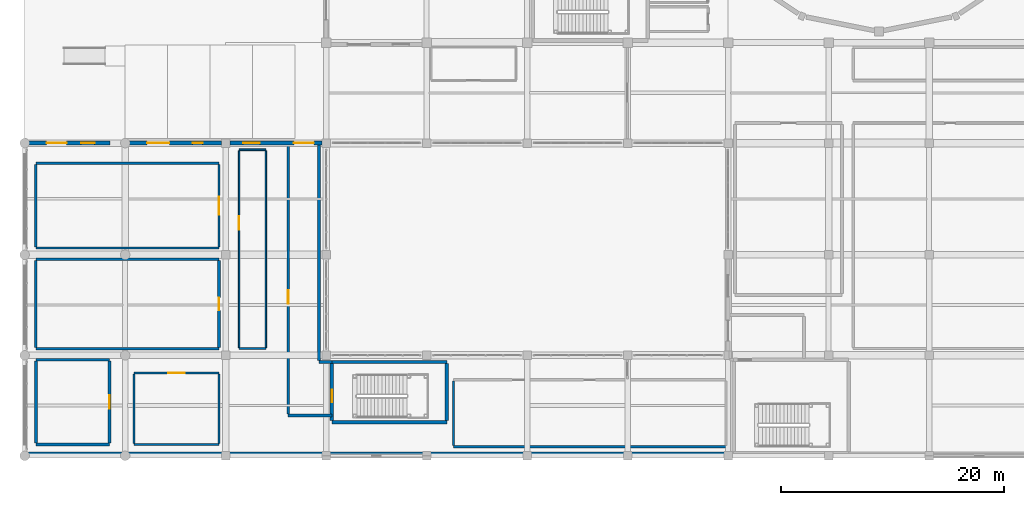
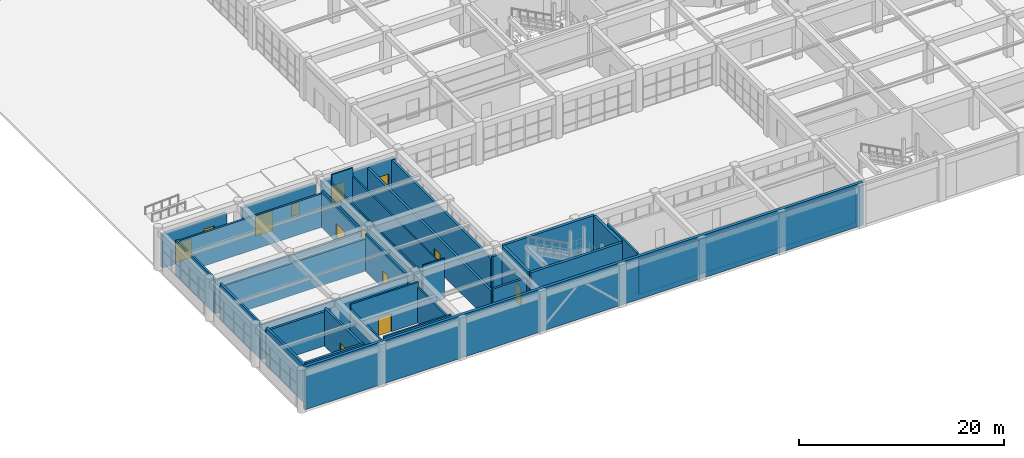
# One storey, part 100 of 128: 34 walls, 10 doors, 3 windows, 13 openings.
"""IFC4 building model written with IfcOpenShell, lengths in metres."""

from ifc_helpers import new_model, si_unit, direction, frame, frame_2d, origin, place, context, subcontext, project, spatial, rectangle, extrude, material, layer, layer_set, type_object, element, fill, save


model = new_model("IFC4")

# Units and contexts
model_context = context("Model", 3, precision=1e-05, world=origin(), true_north=direction((0.0, 1.0)))
body_context = subcontext(model_context, "Body", "Model", "MODEL_VIEW")
ifc_project = project(units=[si_unit("LENGTHUNIT", "METRE"), si_unit("AREAUNIT", "SQUARE_METRE"), si_unit("VOLUMEUNIT", "CUBIC_METRE"), si_unit("PLANEANGLEUNIT", "RADIAN"), si_unit("MASSUNIT", "GRAM", prefix="KILO")], contexts=[model_context])

# Site, building, storey
site_placement = place(None, origin())
site = spatial("IfcSite", under=ifc_project, at=site_placement, CompositionType="ELEMENT")
building_placement = place(site_placement, origin())
building = spatial("IfcBuilding", under=site, at=building_placement, Name="Miravela Opera House", CompositionType="ELEMENT")
storey_placement = place(building_placement, origin())
storey = spatial("IfcBuildingStorey", under=building, at=storey_placement, Name="L00", CompositionType="ELEMENT", Elevation=0.0)

# Wall, openings, door, window
ifc_material_1 = material(Name="Dark Guatemalan volcanic basalt stone ashlar", Category="masonry")
ifc_layer_1 = layer(ifc_material_1, 0.360107421875)
ifc_layer_set_1 = layer_set([ifc_layer_1])
wall_type_1 = type_object("IfcWallType", Name="ARC-EW-BASALT-360", PredefinedType="STANDARD", material=ifc_layer_set_1)
wall_1_placement = place(storey_placement, frame((0.39111328125, 28.0, 0.0), z_axis=(0.0, 0.0, 1.0), x_axis=(1.0, 0.0, 0.0)))
wall_1 = element("IfcWall", 1, at=wall_1_placement, inside=storey, type_object=wall_type_1, Name="West Arcade South Forecourt Exit Wall", PredefinedType="STANDARD", context=body_context, shape_type="SweptSolid", body=[
    extrude(rectangle(XDim=7.2587890625, YDim=0.360107421875, at=frame_2d((3.62939453125, 0.0))), origin(), (0.0, 0.0, 1.0), 3.97998046875),
])
opening_1_placement = place(wall_1_placement, frame((1.55908203125, 0.0, 0.0)))
opening_1 = element("IfcOpeningElement", 2, at=opening_1_placement, cuts=wall_1, Name="Opening EX-02", PredefinedType="OPENING", context=body_context, shape_type="SweptSolid", body=[
    extrude(rectangle(XDim=1.800048828125, YDim=2.300048828125, at=frame_2d((0.89990234375, 1.14990234375))), frame((0.0, 0.18994140625, 0.0), z_axis=(0.0, -1.0, 0.0), x_axis=(1.0, 0.0, 0.0)), (0.0, 0.0, 1.0), 0.380126953125),
])
opening_2_placement = place(wall_1_placement, frame((4.658935546875, 0.0, 0.89990234375)))
opening_2 = element("IfcOpeningElement", 3, at=opening_2_placement, cuts=wall_1, Name="Opening W-01", PredefinedType="OPENING", context=body_context, shape_type="SweptSolid", body=[
    extrude(rectangle(XDim=1.199951171875, YDim=2.10009765625, at=frame_2d((0.60009765625, 1.050048828125))), frame((0.0, 0.18994140625, 0.0), z_axis=(0.0, -1.0, 0.0), x_axis=(1.0, 0.0, 0.0)), (0.0, 0.0, 1.0), 0.380126953125),
])
ifc_material_2 = material(Name="Anodised architectural bronze aluminium 6063-T6", Category="aluminium")
door_type_1 = type_object("IfcDoorType", Name="ARC-EXD-1800X2300", OperationType="NOTDEFINED", PredefinedType="DOOR", material=ifc_material_2)
door_1_placement = place(opening_1_placement, origin())
door_1 = element("IfcDoor", 4, at=door_1_placement, inside=storey, type_object=door_type_1, Name="West Arcade South Forecourt Exit EXD-L00-006", OperationType="DOUBLE_DOOR_SINGLE_SWING", OverallHeight=2.300048828125, OverallWidth=1.800048828125, PredefinedType="DOOR", context=body_context, shape_type="SweptSolid", body=[
    extrude(rectangle(XDim=1.800048828125, YDim=2.300048828125, at=frame_2d((0.89990234375, 1.14990234375))), frame((0.0, 0.02490234375, 0.0), z_axis=(0.0, -1.0, 0.0), x_axis=(1.0, 0.0, 0.0)), (0.0, 0.0, 1.0), 0.050048828125),
])
fill(opening_1, door_1)
ifc_material_3 = material(Name="Bronze-anodised aluminium and acoustic low-E glass", Category="aluminium")
window_type_1 = type_object("IfcWindowType", Name="ARC-WIN-01", PartitioningType="SINGLE_PANEL", PredefinedType="WINDOW", material=ifc_material_3)
window_1_placement = place(opening_2_placement, origin())
window_1 = element("IfcWindow", 5, at=window_1_placement, inside=storey, type_object=window_type_1, Name="Window W-01 #001", OverallHeight=2.10009765625, OverallWidth=1.199951171875, PartitioningType="SINGLE_PANEL", PredefinedType="WINDOW", context=body_context, shape_type="SweptSolid", body=[
    extrude(rectangle(XDim=1.199951171875, YDim=2.10009765625, at=frame_2d((0.60009765625, 1.050048828125))), frame((0.0, 0.030029296875, 0.0), z_axis=(0.0, -1.0, 0.0), x_axis=(1.0, 0.0, 0.0)), (0.0, 0.0, 1.0), 0.06005859375),
])
fill(opening_2, window_1)

wall_2_placement = place(storey_placement, frame((18.375, 28.0, 0.0), z_axis=(0.0, 0.0, 1.0), x_axis=(1.0, 0.0, 0.0)))
wall_2 = element("IfcWall", 6, at=wall_2_placement, inside=storey, type_object=wall_type_1, Name="South Foyer Forecourt Exit Wall", PredefinedType="STANDARD", context=body_context, shape_type="SweptSolid", body=[
    extrude(rectangle(XDim=8.25, YDim=0.360107421875, at=frame_2d((4.125, 0.0))), origin(), (0.0, 0.0, 1.0), 3.97998046875),
])
opening_3_placement = place(wall_2_placement, frame((5.72509765625, 0.0, 0.0)))
opening_3 = element("IfcOpeningElement", 7, at=opening_3_placement, cuts=wall_2, Name="Opening EX-02", PredefinedType="OPENING", context=body_context, shape_type="SweptSolid", body=[
    extrude(rectangle(XDim=1.800048828125, YDim=2.300048828125, at=frame_2d((0.89990234375, 1.14990234375))), frame((0.0, 0.18994140625, 0.0), z_axis=(0.0, -1.0, 0.0), x_axis=(1.0, 0.0, 0.0)), (0.0, 0.0, 1.0), 0.380126953125),
])
opening_4_placement = place(wall_2_placement, frame((1.175048828125, 0.0, 0.89990234375)))
opening_4 = element("IfcOpeningElement", 8, at=opening_4_placement, cuts=wall_2, Name="Opening W-02", PredefinedType="OPENING", context=body_context, shape_type="SweptSolid", body=[
    extrude(rectangle(XDim=1.5, YDim=2.10009765625, at=frame_2d((0.75, 1.050048828125))), frame((0.0, 0.18994140625, 0.0), z_axis=(0.0, -1.0, 0.0), x_axis=(1.0, 0.0, 0.0)), (0.0, 0.0, 1.0), 0.380126953125),
])
door_2_placement = place(opening_3_placement, origin())
door_2 = element("IfcDoor", 9, at=door_2_placement, inside=storey, type_object=door_type_1, Name="South Foyer Forecourt Exit EXD-L00-007", OperationType="DOUBLE_DOOR_SINGLE_SWING", OverallHeight=2.300048828125, OverallWidth=1.800048828125, PredefinedType="DOOR", context=body_context, shape_type="SweptSolid", body=[
    extrude(rectangle(XDim=1.800048828125, YDim=2.300048828125, at=frame_2d((0.89990234375, 1.14990234375))), frame((0.0, 0.02490234375, 0.0), z_axis=(0.0, -1.0, 0.0), x_axis=(1.0, 0.0, 0.0)), (0.0, 0.0, 1.0), 0.050048828125),
])
fill(opening_3, door_2)
window_type_2 = type_object("IfcWindowType", Name="ARC-WIN-02", PartitioningType="DOUBLE_PANEL_VERTICAL", PredefinedType="WINDOW", material=ifc_material_3)
window_2_placement = place(opening_4_placement, origin())
window_2 = element("IfcWindow", 10, at=window_2_placement, inside=storey, type_object=window_type_2, Name="Window W-02 #002", OverallHeight=2.10009765625, OverallWidth=1.5, PartitioningType="DOUBLE_PANEL_VERTICAL", PredefinedType="WINDOW", context=body_context, shape_type="SweptSolid", body=[
    extrude(rectangle(XDim=1.5, YDim=2.10009765625, at=frame_2d((0.75, 1.050048828125))), frame((0.0, 0.030029296875, 0.0), z_axis=(0.0, -1.0, 0.0), x_axis=(1.0, 0.0, 0.0)), (0.0, 0.0, 1.0), 0.06005859375),
])
fill(opening_4, window_2)

wall_3_placement = place(storey_placement, frame((9.39111328125, 28.0, 0.0), z_axis=(0.0, 0.0, 1.0), x_axis=(1.0, 0.0, 0.0)))
wall_3 = element("IfcWall", 11, at=wall_3_placement, inside=storey, type_object=wall_type_1, Name="South Arcade Forecourt Exit Wall", PredefinedType="STANDARD", context=body_context, shape_type="SweptSolid", body=[
    extrude(rectangle(XDim=8.23388671875, YDim=0.360107421875, at=frame_2d((4.116943359375, 0.0))), origin(), (0.0, 0.0, 1.0), 3.97998046875),
])
opening_5_placement = place(wall_3_placement, frame((1.55908203125, 0.0, 0.0)))
opening_5 = element("IfcOpeningElement", 12, at=opening_5_placement, cuts=wall_3, Name="Opening EX-01", PredefinedType="OPENING", context=body_context, shape_type="SweptSolid", body=[
    extrude(rectangle(XDim=2.0, YDim=2.39990234375, at=frame_2d((1.0, 1.199951171875))), frame((0.0, 0.18994140625, 0.0), z_axis=(0.0, -1.0, 0.0), x_axis=(1.0, 0.0, 0.0)), (0.0, 0.0, 1.0), 0.380126953125),
])
opening_6_placement = place(wall_3_placement, frame((5.634033203125, 0.0, 0.89990234375)))
opening_6 = element("IfcOpeningElement", 13, at=opening_6_placement, cuts=wall_3, Name="Opening W-21", PredefinedType="OPENING", context=body_context, shape_type="SweptSolid", body=[
    extrude(rectangle(XDim=0.89990234375, YDim=1.5, at=frame_2d((0.449951171875, 0.75))), frame((0.0, 0.18994140625, 0.0), z_axis=(0.0, -1.0, 0.0), x_axis=(1.0, 0.0, 0.0)), (0.0, 0.0, 1.0), 0.380126953125),
])
door_type_2 = type_object("IfcDoorType", Name="ARC-EXD-2000X2400", OperationType="NOTDEFINED", PredefinedType="DOOR", material=ifc_material_2)
door_3_placement = place(opening_5_placement, origin())
door_3 = element("IfcDoor", 14, at=door_3_placement, inside=storey, type_object=door_type_2, Name="South Arcade Forecourt Exit EXD-L00-020", OperationType="DOUBLE_DOOR_SINGLE_SWING", OverallHeight=2.39990234375, OverallWidth=2.0, PredefinedType="DOOR", context=body_context, shape_type="SweptSolid", body=[
    extrude(rectangle(XDim=2.0, YDim=2.39990234375, at=frame_2d((1.0, 1.199951171875))), frame((0.0, 0.02490234375, 0.0), z_axis=(0.0, -1.0, 0.0), x_axis=(1.0, 0.0, 0.0)), (0.0, 0.0, 1.0), 0.050048828125),
])
fill(opening_5, door_3)
window_type_3 = type_object("IfcWindowType", Name="ARC-WIN-21", PartitioningType="SINGLE_PANEL", PredefinedType="WINDOW", material=ifc_material_3)
window_3_placement = place(opening_6_placement, origin())
window_3 = element("IfcWindow", 15, at=window_3_placement, inside=storey, type_object=window_type_3, Name="Window W-21 #015", OverallHeight=1.5, OverallWidth=0.89990234375, PartitioningType="SINGLE_PANEL", PredefinedType="WINDOW", context=body_context, shape_type="SweptSolid", body=[
    extrude(rectangle(XDim=0.89990234375, YDim=1.5, at=frame_2d((0.449951171875, 0.75))), frame((0.0, 0.030029296875, 0.0), z_axis=(0.0, -1.0, 0.0), x_axis=(1.0, 0.0, 0.0)), (0.0, 0.0, 1.0), 0.06005859375),
])
fill(opening_6, window_3)

# Walls
ifc_material_4 = material(Name="Studio double-stud acoustic partition")
ifc_layer_2 = layer(ifc_material_4, 0.14990234375)
ifc_layer_set_2 = layer_set([ifc_layer_2])
wall_type_2 = type_object("IfcWallType", Name="ARC-PT-145", PredefinedType="PARTITIONING", material=ifc_layer_set_2)
for number, where, z_axis, x_axis, name in (
    (16, (19.199951171875, 9.60009765625, 0.0), (0.0, 0.0, 1.0), (1.0, 0.0, 0.0), "Costume Wardrobe Reception Partition South"),
    (17, (19.199951171875, 27.39990234375, 0.0), (0.0, 0.0, 1.0), (1.0, 0.0, 0.0), "Costume Wardrobe Reception Partition North"),
):
    element("IfcWall", number, at=place(storey_placement, frame(where, z_axis=z_axis, x_axis=x_axis)), inside=storey, type_object=wall_type_2, Name=name, PredefinedType="PARTITIONING", context=body_context, shape_type="SweptSolid", body=[
        extrude(rectangle(XDim=2.400146484375, YDim=0.14990234375, at=frame_2d((1.2001953125, 0.0))), origin(), (0.0, 0.0, 1.0), 4.85009765625),
    ])

# Wall, opening, door
wall_4_placement = place(storey_placement, frame((19.199951171875, 9.675048828125, 0.0), z_axis=(0.0, 0.0, 1.0), x_axis=(0.0, 1.0, 0.0)))
wall_4 = element("IfcWall", 18, at=wall_4_placement, inside=storey, type_object=wall_type_2, Name="Costume Wardrobe Reception Partition West", PredefinedType="PARTITIONING", context=body_context, shape_type="SweptSolid", body=[
    extrude(rectangle(XDim=17.64990234375, YDim=0.14990234375, at=frame_2d((8.824951171875, 0.0))), origin(), (0.0, 0.0, 1.0), 3.85009765625),
])
opening_7_placement = place(wall_4_placement, frame((10.57958984375, 0.0, 0.0)))
opening_7 = element("IfcOpeningElement", 19, at=opening_7_placement, cuts=wall_4, Name="Opening ID-26", PredefinedType="OPENING", context=body_context, shape_type="SweptSolid", body=[
    extrude(rectangle(XDim=1.179931640625, YDim=2.139892578125, at=frame_2d((0.58984375, 1.06982421875))), frame((0.0, 0.0849609375, 0.0), z_axis=(0.0, -1.0, 0.0), x_axis=(1.0, 0.0, 0.0)), (0.0, 0.0, 1.0), 0.169921875),
])
ifc_material_5 = material(Name="Hardwood acoustic timber door leaf", Category="wood")
door_type_3 = type_object("IfcDoorType", Name="ARC-IDR-118X214", OperationType="NOTDEFINED", PredefinedType="DOOR", material=ifc_material_5)
door_4_placement = place(opening_7_placement, frame((1.179931640625, 0.0, 0.0), z_axis=(0.0, 0.0, 1.0), x_axis=(-1.0, 0.0, 0.0)))
door_4 = element("IfcDoor", 20, at=door_4_placement, inside=storey, type_object=door_type_3, Name="Costume Wardrobe Reception Entry Door IDR-L00-0129", OperationType="SINGLE_SWING_RIGHT", OverallHeight=2.139892578125, OverallWidth=1.179931640625, PredefinedType="DOOR", context=body_context, shape_type="SweptSolid", body=[
    extrude(rectangle(XDim=1.179931640625, YDim=2.139892578125, at=frame_2d((0.58984375, 1.06982421875))), frame((0.0, 0.02490234375, 0.0), z_axis=(0.0, -1.0, 0.0), x_axis=(1.0, 0.0, 0.0)), (0.0, 0.0, 1.0), 0.050048828125),
])
fill(opening_7, door_4)

# Walls
wall_5_placement = place(storey_placement, frame((21.60009765625, 9.675048828125, 0.0), z_axis=(0.0, 0.0, 1.0), x_axis=(0.0, 1.0, 0.0)))
element("IfcWall", 21, at=wall_5_placement, inside=storey, type_object=wall_type_2, Name="Costume Wardrobe Reception Partition East", PredefinedType="PARTITIONING", context=body_context, shape_type="SweptSolid", body=[
    extrude(rectangle(XDim=17.64990234375, YDim=0.14990234375, at=frame_2d((8.824951171875, 0.0))), origin(), (0.0, 0.0, 1.0), 3.85009765625),
])
ifc_material_6 = material(Name="Corridor fire-resisting masonry partition", Category="masonry")
ifc_layer_3 = layer(ifc_material_6, 0.18994140625)
ifc_layer_set_3 = layer_set([ifc_layer_3])
wall_type_3 = type_object("IfcWallType", Name="ARC-PT-190", PredefinedType="PARTITIONING", material=ifc_layer_set_3)
wall_6_placement = place(storey_placement, frame((9.800048828125, 1.0, 0.0), z_axis=(0.0, 0.0, 1.0), x_axis=(1.0, 0.0, 0.0)))
element("IfcWall", 22, at=wall_6_placement, inside=storey, type_object=wall_type_3, Name="Catering Sommelier and Cold Pantry Partition South", PredefinedType="PARTITIONING", context=body_context, shape_type="SweptSolid", body=[
    extrude(rectangle(XDim=7.599853515625, YDim=0.18994140625, at=frame_2d((3.7998046875, 0.0))), origin(), (0.0, 0.0, 1.0), 4.85009765625),
])

# Wall, opening, door
wall_7_placement = place(storey_placement, frame((9.800048828125, 7.39990234375, 0.0), z_axis=(0.0, 0.0, 1.0), x_axis=(1.0, 0.0, 0.0)))
wall_7 = element("IfcWall", 23, at=wall_7_placement, inside=storey, type_object=wall_type_3, Name="Catering Sommelier and Cold Pantry Partition North", PredefinedType="PARTITIONING", context=body_context, shape_type="SweptSolid", body=[
    extrude(rectangle(XDim=7.599853515625, YDim=0.18994140625, at=frame_2d((3.7998046875, 0.0))), origin(), (0.0, 0.0, 1.0), 4.85009765625),
])
opening_8_placement = place(wall_7_placement, frame((3.070068359375, 0.0, 0.0)))
opening_8 = element("IfcOpeningElement", 24, at=opening_8_placement, cuts=wall_7, Name="Opening ID-38", PredefinedType="OPENING", context=body_context, shape_type="SweptSolid", body=[
    extrude(rectangle(XDim=1.4599609375, YDim=2.139892578125, at=frame_2d((0.72998046875, 1.06982421875))), frame((0.0, 0.10498046875, 0.0), z_axis=(0.0, -1.0, 0.0), x_axis=(1.0, 0.0, 0.0)), (0.0, 0.0, 1.0), 0.2099609375),
])
door_type_4 = type_object("IfcDoorType", Name="ARC-IDR-146X214", OperationType="NOTDEFINED", PredefinedType="DOOR", material=ifc_material_5)
door_5_placement = place(opening_8_placement, frame((1.4599609375, 0.0, 0.0), z_axis=(0.0, 0.0, 1.0), x_axis=(-1.0, 0.0, 0.0)))
door_5 = element("IfcDoor", 25, at=door_5_placement, inside=storey, type_object=door_type_4, Name="Catering Sommelier and Cold Pantry Entry Door IDR-L00-0141", OperationType="DOUBLE_DOOR_SINGLE_SWING", OverallHeight=2.139892578125, OverallWidth=1.4599609375, PredefinedType="DOOR", context=body_context, shape_type="SweptSolid", body=[
    extrude(rectangle(XDim=1.4599609375, YDim=2.139892578125, at=frame_2d((0.72998046875, 1.06982421875))), frame((0.0, 0.02490234375, 0.0), z_axis=(0.0, -1.0, 0.0), x_axis=(1.0, 0.0, 0.0)), (0.0, 0.0, 1.0), 0.050048828125),
])
fill(opening_8, door_5)

# Walls
for number, where, z_axis, x_axis, name in (
    (26, (9.800048828125, 1.094970703125, 0.0), (0.0, 0.0, 1.0), (0.0, 1.0, 0.0), "Catering Sommelier and Cold Pantry Partition West"),
    (27, (17.39990234375, 1.094970703125, 0.0), (0.0, 0.0, 1.0), (0.0, 1.0, 0.0), "Catering Sommelier and Cold Pantry Partition East"),
):
    element("IfcWall", number, at=place(storey_placement, frame(where, z_axis=z_axis, x_axis=x_axis)), inside=storey, type_object=wall_type_3, Name=name, PredefinedType="PARTITIONING", context=body_context, shape_type="SweptSolid", body=[
        extrude(rectangle(XDim=6.2099609375, YDim=0.18994140625, at=frame_2d((3.10498046875, 0.0))), origin(), (0.0, 0.0, 1.0), 4.22998046875),
    ])
ifc_material_7 = material(Name="High-STC auditorium lobby partition")
ifc_layer_4 = layer(ifc_material_7, 0.22998046875)
ifc_layer_set_4 = layer_set([ifc_layer_4])
wall_type_4 = type_object("IfcWallType", Name="ARC-PT-205", PredefinedType="PARTITIONING", material=ifc_layer_set_4)
wall_8_placement = place(storey_placement, frame((1.0, 9.60009765625, 0.0), z_axis=(0.0, 0.0, 1.0), x_axis=(1.0, 0.0, 0.0)))
element("IfcWall", 28, at=wall_8_placement, inside=storey, type_object=wall_type_4, Name="Miravela Opera Restaurant Dining Hall Partition South", PredefinedType="PARTITIONING", context=body_context, shape_type="SweptSolid", body=[
    extrude(rectangle(XDim=16.39990234375, YDim=0.22998046875, at=frame_2d((8.199951171875, 0.0))), origin(), (0.0, 0.0, 1.0), 4.179931640625),
])
wall_9_placement = place(storey_placement, frame((1.0, 17.60009765625, 0.0), z_axis=(0.0, 0.0, 1.0), x_axis=(1.0, 0.0, 0.0)))
element("IfcWall", 29, at=wall_9_placement, inside=storey, type_object=wall_type_4, Name="Miravela Opera Restaurant Dining Hall Partition North", PredefinedType="PARTITIONING", context=body_context, shape_type="SweptSolid", body=[
    extrude(rectangle(XDim=16.39990234375, YDim=0.22998046875, at=frame_2d((8.199951171875, 0.0))), origin(), (0.0, 0.0, 1.0), 3.830078125),
])
wall_10_placement = place(storey_placement, frame((1.0, 9.715087890625, 0.0), z_axis=(0.0, 0.0, 1.0), x_axis=(0.0, 1.0, 0.0)))
element("IfcWall", 30, at=wall_10_placement, inside=storey, type_object=wall_type_4, Name="Miravela Opera Restaurant Dining Hall Partition West", PredefinedType="PARTITIONING", context=body_context, shape_type="SweptSolid", body=[
    extrude(rectangle(XDim=7.77001953125, YDim=0.22998046875, at=frame_2d((3.885009765625, 0.0))), origin(), (0.0, 0.0, 1.0), 4.297119140625),
])

# Wall, opening, door
wall_11_placement = place(storey_placement, frame((17.39990234375, 9.715087890625, 0.0), z_axis=(0.0, 0.0, 1.0), x_axis=(0.0, 1.0, 0.0)))
wall_11 = element("IfcWall", 31, at=wall_11_placement, inside=storey, type_object=wall_type_4, Name="Miravela Opera Restaurant Dining Hall Partition East", PredefinedType="PARTITIONING", context=body_context, shape_type="SweptSolid", body=[
    extrude(rectangle(XDim=7.77001953125, YDim=0.22998046875, at=frame_2d((3.885009765625, 0.0))), origin(), (0.0, 0.0, 1.0), 4.47998046875),
])
opening_9_placement = place(wall_11_placement, frame((3.31494140625, 0.0, 0.0)))
opening_9 = element("IfcOpeningElement", 32, at=opening_9_placement, cuts=wall_11, Name="Opening ID-22", PredefinedType="OPENING", context=body_context, shape_type="SweptSolid", body=[
    extrude(rectangle(XDim=1.139892578125, YDim=2.080078125, at=frame_2d((0.56982421875, 1.0400390625))), frame((0.0, 0.125, 0.0), z_axis=(0.0, -1.0, 0.0), x_axis=(1.0, 0.0, 0.0)), (0.0, 0.0, 1.0), 0.25),
])
door_type_5 = type_object("IfcDoorType", Name="ARC-IDR-114X208", OperationType="NOTDEFINED", PredefinedType="DOOR", material=ifc_material_5)
door_6_placement = place(opening_9_placement, origin())
door_6 = element("IfcDoor", 33, at=door_6_placement, inside=storey, type_object=door_type_5, Name="Miravela Opera Restaurant Dining Hall Entry Door IDR-L00-0124", OperationType="SINGLE_SWING_LEFT", OverallHeight=2.080078125, OverallWidth=1.139892578125, PredefinedType="DOOR", context=body_context, shape_type="SweptSolid", body=[
    extrude(rectangle(XDim=1.139892578125, YDim=2.080078125, at=frame_2d((0.56982421875, 1.0400390625))), frame((0.0, 0.02490234375, 0.0), z_axis=(0.0, -1.0, 0.0), x_axis=(1.0, 0.0, 0.0)), (0.0, 0.0, 1.0), 0.050048828125),
])
fill(opening_9, door_6)

# Walls
ifc_material_8 = material(Name="Workshop fire-resisting block partition")
ifc_layer_5 = layer(ifc_material_8, 0.2099609375)
ifc_layer_set_5 = layer_set([ifc_layer_5])
wall_type_5 = type_object("IfcWallType", Name="ARC-PT-210", PredefinedType="PARTITIONING", material=ifc_layer_set_5)
wall_12_placement = place(storey_placement, frame((38.39990234375, 0.800048828125, 0.0), z_axis=(0.0, 0.0, 1.0), x_axis=(1.0, 0.0, 0.0)))
element("IfcWall", 34, at=wall_12_placement, inside=storey, type_object=wall_type_5, Name="Carpentry and Stage Metalwork Workshop Partition South", PredefinedType="PARTITIONING", context=body_context, shape_type="SweptSolid", body=[
    extrude(rectangle(XDim=24.400146484375, YDim=0.2099609375, at=frame_2d((12.2001953125, 0.0))), origin(), (0.0, 0.0, 1.0), 4.1298828125),
])
wall_13_placement = place(storey_placement, frame((38.39990234375, 0.905029296875, 0.0), z_axis=(0.0, 0.0, 1.0), x_axis=(0.0, 1.0, 0.0)))
element("IfcWall", 35, at=wall_13_placement, inside=storey, type_object=wall_type_5, Name="Carpentry and Stage Metalwork Workshop Partition West", PredefinedType="PARTITIONING", context=body_context, shape_type="SweptSolid", body=[
    extrude(rectangle(XDim=5.7900390625, YDim=0.2099609375, at=frame_2d((2.89501953125, 0.0))), origin(), (0.0, 0.0, 1.0), 4.85009765625),
])
for number, where, z_axis, x_axis, name in (
    (36, (1.0, 18.60009765625, 0.0), (0.0, 0.0, 1.0), (1.0, 0.0, 0.0), "Cultural Opera Shop and Bookshop Partition South"),
    (37, (1.0, 26.199951171875, 0.0), (0.0, 0.0, 1.0), (1.0, 0.0, 0.0), "Cultural Opera Shop and Bookshop Partition North"),
):
    element("IfcWall", number, at=place(storey_placement, frame(where, z_axis=z_axis, x_axis=x_axis)), inside=storey, type_object=wall_type_5, Name=name, PredefinedType="PARTITIONING", context=body_context, shape_type="SweptSolid", body=[
        extrude(rectangle(XDim=16.39990234375, YDim=0.2099609375, at=frame_2d((8.199951171875, 0.0))), origin(), (0.0, 0.0, 1.0), 3.97998046875),
    ])
wall_14_placement = place(storey_placement, frame((1.0, 18.705078125, 0.0), z_axis=(0.0, 0.0, 1.0), x_axis=(0.0, 1.0, 0.0)))
element("IfcWall", 38, at=wall_14_placement, inside=storey, type_object=wall_type_5, Name="Cultural Opera Shop and Bookshop Partition West", PredefinedType="PARTITIONING", context=body_context, shape_type="SweptSolid", body=[
    extrude(rectangle(XDim=7.389892578125, YDim=0.2099609375, at=frame_2d((3.69482421875, 0.0))), origin(), (0.0, 0.0, 1.0), 4.221923828125),
])

# Wall, opening, door
wall_15_placement = place(storey_placement, frame((17.39990234375, 18.705078125, 0.0), z_axis=(0.0, 0.0, 1.0), x_axis=(0.0, 1.0, 0.0)))
wall_15 = element("IfcWall", 39, at=wall_15_placement, inside=storey, type_object=wall_type_5, Name="Cultural Opera Shop and Bookshop Partition East", PredefinedType="PARTITIONING", context=body_context, shape_type="SweptSolid", body=[
    extrude(rectangle(XDim=7.389892578125, YDim=0.2099609375, at=frame_2d((3.69482421875, 0.0))), origin(), (0.0, 0.0, 1.0), 4.3701171875),
])
opening_10_placement = place(wall_15_placement, frame((2.89501953125, 0.0, 0.0)))
opening_10 = element("IfcOpeningElement", 40, at=opening_10_placement, cuts=wall_15, Name="Opening ID-06", PredefinedType="OPENING", context=body_context, shape_type="SweptSolid", body=[
    extrude(rectangle(XDim=1.60009765625, YDim=2.25, at=frame_2d((0.800048828125, 1.125))), frame((0.0, 0.114990234375, 0.0), z_axis=(0.0, -1.0, 0.0), x_axis=(1.0, 0.0, 0.0)), (0.0, 0.0, 1.0), 0.22998046875),
])
ifc_material_9 = material(Name="Double-leaf acoustic studio/salon pair")
door_type_6 = type_object("IfcDoorType", Name="ARC-DR-1600X2250", OperationType="NOTDEFINED", PredefinedType="DOOR", material=ifc_material_9)
door_7_placement = place(opening_10_placement, origin())
door_7 = element("IfcDoor", 41, at=door_7_placement, inside=storey, type_object=door_type_6, Name="Cultural Opera Shop and Bookshop Entry Door IDR-L00-0123", OperationType="DOUBLE_DOOR_SINGLE_SWING", OverallHeight=2.25, OverallWidth=1.60009765625, PredefinedType="DOOR", context=body_context, shape_type="SweptSolid", body=[
    extrude(rectangle(XDim=1.60009765625, YDim=2.25, at=frame_2d((0.800048828125, 1.125))), frame((0.0, 0.02490234375, 0.0), z_axis=(0.0, -1.0, 0.0), x_axis=(1.0, 0.0, 0.0)), (0.0, 0.0, 1.0), 0.050048828125),
])
fill(opening_10, door_7)

# Walls
ifc_material_10 = material(Name="Firefighting lobby compartment wall")
ifc_layer_6 = layer(ifc_material_10, 0.25)
ifc_layer_set_6 = layer_set([ifc_layer_6])
wall_type_6 = type_object("IfcWallType", Name="ARC-PT-220", PredefinedType="PARTITIONING", material=ifc_layer_set_6)
wall_16_placement = place(storey_placement, frame((1.0, 1.0, 0.0), z_axis=(0.0, 0.0, 1.0), x_axis=(1.0, 0.0, 0.0)))
element("IfcWall", 42, at=wall_16_placement, inside=storey, type_object=wall_type_6, Name="Restaurant Preparation Kitchen Partition South", PredefinedType="PARTITIONING", context=body_context, shape_type="SweptSolid", body=[
    extrude(rectangle(XDim=6.60009765625, YDim=0.25, at=frame_2d((3.300048828125, 0.0))), origin(), (0.0, 0.0, 1.0), 4.85009765625),
])
wall_17_placement = place(storey_placement, frame((1.0, 8.60009765625, 0.0), z_axis=(0.0, 0.0, 1.0), x_axis=(1.0, 0.0, 0.0)))
element("IfcWall", 43, at=wall_17_placement, inside=storey, type_object=wall_type_6, Name="Restaurant Preparation Kitchen Partition North", PredefinedType="PARTITIONING", context=body_context, shape_type="SweptSolid", body=[
    extrude(rectangle(XDim=6.60009765625, YDim=0.25, at=frame_2d((3.300048828125, 0.0))), origin(), (0.0, 0.0, 1.0), 4.080078125),
])
wall_18_placement = place(storey_placement, frame((1.0, 1.125, 0.0), z_axis=(0.0, 0.0, 1.0), x_axis=(0.0, 1.0, 0.0)))
element("IfcWall", 44, at=wall_18_placement, inside=storey, type_object=wall_type_6, Name="Restaurant Preparation Kitchen Partition West", PredefinedType="PARTITIONING", context=body_context, shape_type="SweptSolid", body=[
    extrude(rectangle(XDim=7.35009765625, YDim=0.25, at=frame_2d((3.675048828125, 0.0))), origin(), (0.0, 0.0, 1.0), 4.52197265625),
])

# Wall, opening, door
wall_19_placement = place(storey_placement, frame((7.60009765625, 1.125, 0.0), z_axis=(0.0, 0.0, 1.0), x_axis=(0.0, 1.0, 0.0)))
wall_19 = element("IfcWall", 45, at=wall_19_placement, inside=storey, type_object=wall_type_6, Name="Restaurant Preparation Kitchen Partition East", PredefinedType="PARTITIONING", context=body_context, shape_type="SweptSolid", body=[
    extrude(rectangle(XDim=7.35009765625, YDim=0.25, at=frame_2d((3.675048828125, 0.0))), origin(), (0.0, 0.0, 1.0), 4.52197265625),
])
opening_11_placement = place(wall_19_placement, frame((3.074951171875, 0.0, 0.0)))
opening_11 = element("IfcOpeningElement", 46, at=opening_11_placement, cuts=wall_19, Name="Opening FD-02", PredefinedType="OPENING", context=body_context, shape_type="SweptSolid", body=[
    extrude(rectangle(XDim=1.199951171875, YDim=2.199951171875, at=frame_2d((0.60009765625, 1.10009765625))), frame((0.0, 0.135009765625, 0.0), z_axis=(0.0, -1.0, 0.0), x_axis=(1.0, 0.0, 0.0)), (0.0, 0.0, 1.0), 0.27001953125),
])
ifc_material_11 = material(Name="Fire-rated gallery/plant exit door")
door_type_7 = type_object("IfcDoorType", Name="ARC-FD-1200X2200", OperationType="NOTDEFINED", PredefinedType="DOOR", material=ifc_material_11)
door_8_placement = place(opening_11_placement, origin())
door_8 = element("IfcDoor", 47, at=door_8_placement, inside=storey, type_object=door_type_7, Name="Restaurant Preparation Kitchen Entry Door IDR-L00-0125", OperationType="SINGLE_SWING_RIGHT", OverallHeight=2.199951171875, OverallWidth=1.199951171875, PredefinedType="DOOR", context=body_context, shape_type="SweptSolid", body=[
    extrude(rectangle(XDim=1.199951171875, YDim=2.199951171875, at=frame_2d((0.60009765625, 1.10009765625))), frame((0.0, 0.02490234375, 0.0), z_axis=(0.0, -1.0, 0.0), x_axis=(1.0, 0.0, 0.0)), (0.0, 0.0, 1.0), 0.050048828125),
])
fill(opening_11, door_8)

# Walls
wall_20_placement = place(storey_placement, frame((23.60009765625, 3.60009765625, 0.0), z_axis=(0.0, 0.0, 1.0), x_axis=(1.0, 0.0, 0.0)))
element("IfcWall", 48, at=wall_20_placement, inside=storey, type_object=wall_type_6, Name="Protected Exit Passageway ST-08 Partition Seg1", PredefinedType="PARTITIONING", context=body_context, shape_type="SweptSolid", body=[
    extrude(rectangle(XDim=3.89990234375, YDim=0.25, at=frame_2d((1.949951171875, 0.0))), origin(), (0.0, 0.0, 1.0), 4.14990234375),
])
wall_21_placement = place(storey_placement, frame((27.5, 8.39990234375, 0.0), z_axis=(0.0, 0.0, 1.0), x_axis=(-1.0, 0.0, 0.0)))
element("IfcWall", 49, at=wall_21_placement, inside=storey, type_object=wall_type_6, Name="Protected Exit Passageway ST-08 Partition Seg3", PredefinedType="PARTITIONING", context=body_context, shape_type="SweptSolid", body=[
    extrude(rectangle(XDim=1.14990234375, YDim=0.25, at=frame_2d((0.574951171875, 0.0))), origin(), (0.0, 0.0, 1.0), 4.14990234375),
])
wall_22_placement = place(storey_placement, frame((26.35009765625, 8.52490234375, 0.0), z_axis=(0.0, 0.0, 1.0), x_axis=(0.0, 1.0, 0.0)))
element("IfcWall", 50, at=wall_22_placement, inside=storey, type_object=wall_type_6, Name="Protected Exit Passageway ST-08 Partition Seg4", PredefinedType="PARTITIONING", context=body_context, shape_type="SweptSolid", body=[
    extrude(rectangle(XDim=19.295166015625, YDim=0.25, at=frame_2d((9.6474609375, 0.0))), origin(), (0.0, 0.0, 1.0), 3.85009765625),
])

# Wall, opening, door
wall_23_placement = place(storey_placement, frame((23.60009765625, 27.820068359375, 0.0), z_axis=(0.0, 0.0, 1.0), x_axis=(0.0, -1.0, 0.0)))
wall_23 = element("IfcWall", 51, at=wall_23_placement, inside=storey, type_object=wall_type_6, Name="Protected Exit Passageway ST-08 Partition Seg6", PredefinedType="PARTITIONING", context=body_context, shape_type="SweptSolid", body=[
    extrude(rectangle(XDim=24.094970703125, YDim=0.25, at=frame_2d((12.04736328125, 0.0))), origin(), (0.0, 0.0, 1.0), 3.85009765625),
])
opening_12_placement = place(wall_23_placement, frame((13.0, 0.0, 0.0)))
opening_12 = element("IfcOpeningElement", 52, at=opening_12_placement, cuts=wall_23, Name="Opening FD-02", PredefinedType="OPENING", context=body_context, shape_type="SweptSolid", body=[
    extrude(rectangle(XDim=1.199951171875, YDim=2.199951171875, at=frame_2d((0.60009765625, 1.10009765625))), frame((0.0, 0.135009765625, 0.0), z_axis=(0.0, -1.0, 0.0), x_axis=(1.0, 0.0, 0.0)), (0.0, 0.0, 1.0), 0.27001953125),
])
door_9_placement = place(opening_12_placement, frame((1.199951171875, 0.0, 0.0), z_axis=(0.0, 0.0, 1.0), x_axis=(-1.0, 0.0, 0.0)))
door_9 = element("IfcDoor", 53, at=door_9_placement, inside=storey, type_object=door_type_7, Name="Protected Exit Passageway ST-08 Concourse Fire Door IDR-L00-0148", OperationType="SINGLE_SWING_RIGHT", OverallHeight=2.199951171875, OverallWidth=1.199951171875, PredefinedType="DOOR", context=body_context, shape_type="SweptSolid", body=[
    extrude(rectangle(XDim=1.199951171875, YDim=2.199951171875, at=frame_2d((0.60009765625, 1.10009765625))), frame((0.0, 0.02490234375, 0.0), z_axis=(0.0, -1.0, 0.0), x_axis=(1.0, 0.0, 0.0)), (0.0, 0.0, 1.0), 0.050048828125),
])
fill(opening_12, door_9)

# Walls
ifc_material_12 = material(Name="Concrete C35/45", Category="concrete")
ifc_layer_7 = layer(ifc_material_12, 0.320068359375)
ifc_layer_set_7 = layer_set([ifc_layer_7])
wall_type_7 = type_object("IfcWallType", Name="STR-WALL-PARTY-320", PredefinedType="SHEAR", material=ifc_layer_set_7)
wall_24_placement = place(storey_placement, frame((0.35009765625, 0.159912109375, 0.0), z_axis=(0.0, 0.0, 1.0), x_axis=(1.0, 0.0, 0.0)))
element("IfcWall", 54, at=wall_24_placement, inside=storey, type_object=wall_type_7, Name="South Lot-Line Blind Fire Party Wall West (L00)", PredefinedType="SHEAR", context=body_context, shape_type="SweptSolid", body=[
    extrude(rectangle(XDim=62.949951171875, YDim=0.320068359375, at=frame_2d((31.47509765625, 0.0))), origin(), (0.0, 0.0, 1.0), 5.10009765625),
])
ifc_layer_8 = layer(ifc_material_12, 0.300048828125)
ifc_layer_set_8 = layer_set([ifc_layer_8])
wall_type_8 = type_object("IfcWallType", Name="STR-WALL-WING-300", PredefinedType="SHEAR", material=ifc_layer_set_8)
for number, where, z_axis, x_axis, name in (
    (55, (27.5, 3.0, 0.0), (0.0, 0.0, 1.0), (1.0, 0.0, 0.0), "Core ST-08 Shear Wall South (L00)"),
    (56, (27.5, 8.39990234375, 0.0), (0.0, 0.0, 1.0), (1.0, 0.0, 0.0), "Core ST-08 Shear Wall North (L00)"),
):
    element("IfcWall", number, at=place(storey_placement, frame(where, z_axis=z_axis, x_axis=x_axis)), inside=storey, type_object=wall_type_8, Name=name, PredefinedType="SHEAR", context=body_context, shape_type="SweptSolid", body=[
        extrude(rectangle(XDim=10.300048828125, YDim=0.300048828125, at=frame_2d((5.14990234375, 0.0))), origin(), (0.0, 0.0, 1.0), 5.10009765625),
    ])

# Wall, opening, door
wall_25_placement = place(storey_placement, frame((27.5, 3.14990234375, 0.0), z_axis=(0.0, 0.0, 1.0), x_axis=(0.0, 1.0, 0.0)))
wall_25 = element("IfcWall", 57, at=wall_25_placement, inside=storey, type_object=wall_type_8, Name="Core ST-08 Shear Wall West (L00)", PredefinedType="SHEAR", context=body_context, shape_type="SweptSolid", body=[
    extrude(rectangle(XDim=5.10009765625, YDim=0.300048828125, at=frame_2d((2.550048828125, 0.0))), origin(), (0.0, 0.0, 1.0), 5.10009765625),
])
opening_13_placement = place(wall_25_placement, frame((1.64990234375, 0.0, 0.0)))
opening_13 = element("IfcOpeningElement", 58, at=opening_13_placement, cuts=wall_25, Name="Opening FD-01", PredefinedType="OPENING", context=body_context, shape_type="SweptSolid", body=[
    extrude(rectangle(XDim=1.10009765625, YDim=2.199951171875, at=frame_2d((0.550048828125, 1.10009765625))), frame((0.0, 0.159912109375, 0.0), z_axis=(0.0, -1.0, 0.0), x_axis=(1.0, 0.0, 0.0)), (0.0, 0.0, 1.0), 0.320068359375),
])
ifc_material_13 = material(Name="Fire-rated steel/hardwood exit stair door", Category="steel")
door_type_8 = type_object("IfcDoorType", Name="ARC-FD-1100X2200", OperationType="NOTDEFINED", PredefinedType="DOOR", material=ifc_material_13)
door_10_placement = place(opening_13_placement, frame((1.10009765625, 0.0, 0.0), z_axis=(0.0, 0.0, 1.0), x_axis=(-1.0, 0.0, 0.0)))
door_10 = element("IfcDoor", 59, at=door_10_placement, inside=storey, type_object=door_type_8, Name="Exit Stair ST-08 Discharge Door (L00) IDR-L00-0047", OperationType="SINGLE_SWING_LEFT", OverallHeight=2.199951171875, OverallWidth=1.10009765625, PredefinedType="DOOR", context=body_context, shape_type="SweptSolid", body=[
    extrude(rectangle(XDim=1.10009765625, YDim=2.199951171875, at=frame_2d((0.550048828125, 1.10009765625))), frame((0.0, 0.02490234375, 0.0), z_axis=(0.0, -1.0, 0.0), x_axis=(1.0, 0.0, 0.0)), (0.0, 0.0, 1.0), 0.050048828125),
])
fill(opening_13, door_10)

# Wall
wall_26_placement = place(storey_placement, frame((37.800048828125, 3.14990234375, 0.0), z_axis=(0.0, 0.0, 1.0), x_axis=(0.0, 1.0, 0.0)))
element("IfcWall", 60, at=wall_26_placement, inside=storey, type_object=wall_type_8, Name="Core ST-08 Shear Wall East (L00)", PredefinedType="SHEAR", context=body_context, shape_type="SweptSolid", body=[
    extrude(rectangle(XDim=5.10009765625, YDim=0.300048828125, at=frame_2d((2.550048828125, 0.0))), origin(), (0.0, 0.0, 1.0), 5.10009765625),
])

save(model, "model.ifc")
